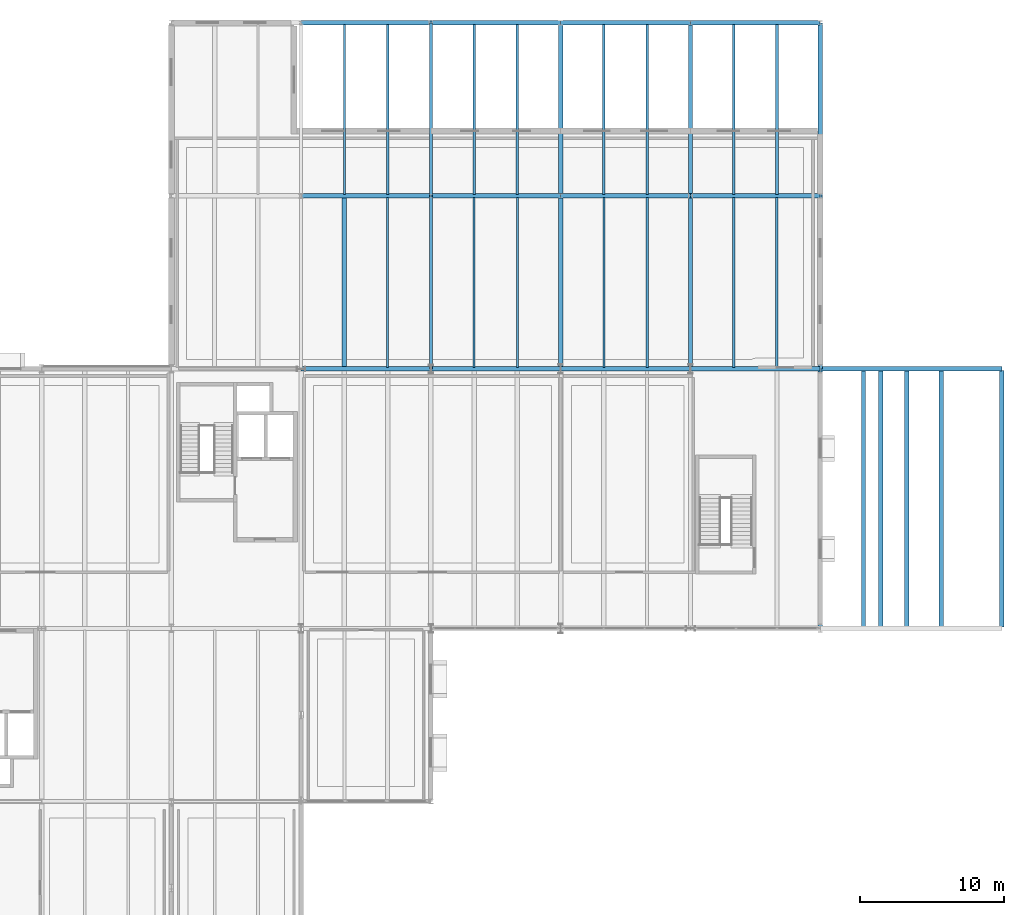
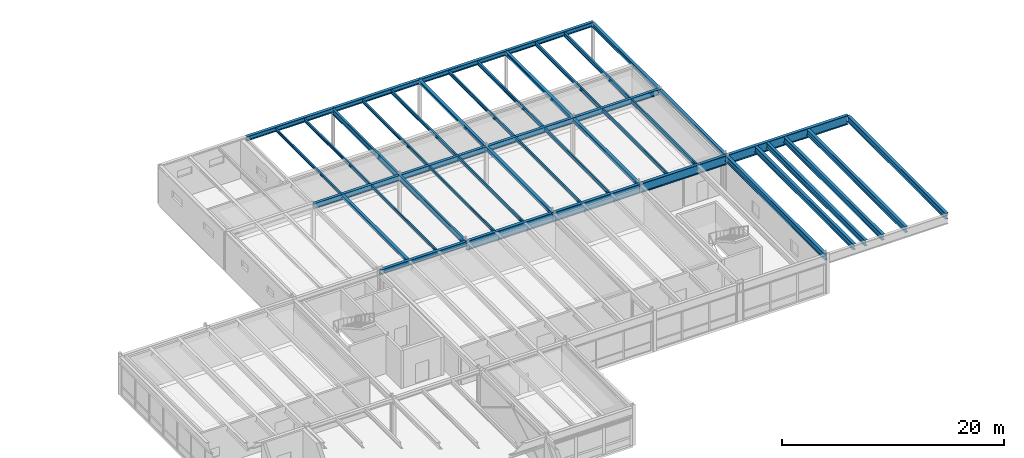
# One storey, part 94 of 127: 43 beams.
"""IFC4 building model written with IfcOpenShell, lengths in metres."""

from ifc_helpers import new_model, si_unit, direction, frame, origin, origin_2d, place, context, subcontext, project, spatial, i_section, extrude, material, material_profile, profile_set, type_object, element, save


model = new_model("IFC4")

# Units and contexts
model_context = context("Model", 3, precision=1e-05, world=origin(), true_north=direction((0.0, 1.0)))
body_context = subcontext(model_context, "Body", "Model", "MODEL_VIEW")
ifc_project = project(units=[si_unit("LENGTHUNIT", "METRE"), si_unit("AREAUNIT", "SQUARE_METRE"), si_unit("VOLUMEUNIT", "CUBIC_METRE"), si_unit("PLANEANGLEUNIT", "RADIAN"), si_unit("MASSUNIT", "GRAM", prefix="KILO")], contexts=[model_context])

# Site, building, storey
site_placement = place(None, origin())
site = spatial("IfcSite", under=ifc_project, at=site_placement, CompositionType="ELEMENT")
building_placement = place(site_placement, origin())
building = spatial("IfcBuilding", under=site, at=building_placement, Name="Montelvaro Courts of Justice", CompositionType="ELEMENT")
storey_placement = place(building_placement, frame((0.0, 0.0, 5.39990234375)))
storey = spatial("IfcBuildingStorey", under=building, at=storey_placement, Name="L01", CompositionType="ELEMENT", Elevation=5.39990234375)

# Beams
ifc_material = material(Name="Steel S355", Category="steel")
ifc_material_profile_1 = material_profile(ifc_material, i_section(OverallWidth=0.300048828125, OverallDepth=0.31005859375, WebThickness=0.009033203125, FlangeThickness=0.015380859375, at=origin_2d()), Name="HEA 320")
ifc_profile_set_1 = profile_set([ifc_material_profile_1], Name="Steel S355")
beam_type_1 = type_object("IfcBeamType", Name="Beam_HEA320", PredefinedType="BEAM", material=ifc_profile_set_1)
beam_1_placement = place(storey_placement, frame((129.0, 96.110107421875, 4.045166015625), z_axis=(0.0, 1.0, 0.0), x_axis=(-1.0, 0.0, 0.0)))
element("IfcBeam", 1, at=beam_1_placement, inside=storey, type_object=beam_type_1, Name="Beam B-15 L01", PredefinedType="BEAM", context=body_context, shape_type="SweptSolid", body=[
    extrude(i_section(OverallWidth=0.300048828125, OverallDepth=0.31005859375, WebThickness=0.009033203125, FlangeThickness=0.015380859375, at=origin_2d()), origin(), (0.0, 0.0, 1.0), 11.77978515625),
])
ifc_material_profile_2 = material_profile(ifc_material, i_section(OverallWidth=0.300048828125, OverallDepth=0.35009765625, WebThickness=0.010009765625, FlangeThickness=0.017578125, at=origin_2d()), Name="HEA 360")
ifc_profile_set_2 = profile_set([ifc_material_profile_2], Name="Steel S355")
beam_type_2 = type_object("IfcBeamType", Name="Beam_HEA360", PredefinedType="USERDEFINED", material=ifc_profile_set_2)
for number, where, z_axis, x_axis, name in (
    (2, (144.0, 96.0, 4.025146484375), (0.0, 1.0, 0.0), (-1.0, 0.0, 0.0), "Beam B-16 L01"),
    (3, (144.0, 108.0, 4.025146484375), (0.0, 1.0, 0.0), (-1.0, 0.0, 0.0), "Beam B-16 L01"),
):
    element("IfcBeam", number, at=place(storey_placement, frame(where, z_axis=z_axis, x_axis=x_axis)), inside=storey, type_object=beam_type_2, Name=name, ObjectType="GIRDER", PredefinedType="USERDEFINED", context=body_context, shape_type="SweptSolid", body=[
        extrude(i_section(OverallWidth=0.300048828125, OverallDepth=0.35009765625, WebThickness=0.010009765625, FlangeThickness=0.017578125, at=origin_2d()), origin(), (0.0, 0.0, 1.0), 12.0),
    ])
ifc_material_profile_3 = material_profile(ifc_material, i_section(OverallWidth=0.300048828125, OverallDepth=0.389892578125, WebThickness=0.010986328125, FlangeThickness=0.01904296875, at=origin_2d()), Name="HEA 400")
ifc_profile_set_3 = profile_set([ifc_material_profile_3], Name="Steel S355")
beam_type_3 = type_object("IfcBeamType", Name="Beam_HEA400", PredefinedType="USERDEFINED", material=ifc_profile_set_3)
for number, where, z_axis, x_axis, name in (
    (4, (153.0, 96.0, 4.005126953125), (0.0, 1.0, 0.0), (-1.0, 0.0, 0.0), "Beam B-17 L01"),
    (5, (153.0, 108.0, 4.005126953125), (0.0, 1.0, 0.0), (-1.0, 0.0, 0.0), "Beam B-17 L01"),
):
    element("IfcBeam", number, at=place(storey_placement, frame(where, z_axis=z_axis, x_axis=x_axis)), inside=storey, type_object=beam_type_3, Name=name, ObjectType="GIRDER", PredefinedType="USERDEFINED", context=body_context, shape_type="SweptSolid", body=[
        extrude(i_section(OverallWidth=0.300048828125, OverallDepth=0.389892578125, WebThickness=0.010986328125, FlangeThickness=0.01904296875, at=origin_2d()), origin(), (0.0, 0.0, 1.0), 12.0),
    ])
ifc_material_profile_4 = material_profile(ifc_material, i_section(OverallWidth=0.300048828125, OverallDepth=0.43994140625, WebThickness=0.011474609375, FlangeThickness=0.02099609375, at=origin_2d()), Name="HEA 450")
ifc_profile_set_4 = profile_set([ifc_material_profile_4], Name="Steel S355")
beam_type_4 = type_object("IfcBeamType", Name="Beam_HEA450", PredefinedType="USERDEFINED", material=ifc_profile_set_4)
for number, where, z_axis, x_axis, name in (
    (6, (162.0, 96.0, 3.97998046875), (0.0, 1.0, 0.0), (-1.0, 0.0, 0.0), "Beam B-18 L01"),
    (7, (162.0, 108.0, 3.97998046875), (0.0, 1.0, 0.0), (-1.0, 0.0, 0.0), "Beam B-18 L01"),
):
    element("IfcBeam", number, at=place(storey_placement, frame(where, z_axis=z_axis, x_axis=x_axis)), inside=storey, type_object=beam_type_4, Name=name, ObjectType="GIRDER", PredefinedType="USERDEFINED", context=body_context, shape_type="SweptSolid", body=[
        extrude(i_section(OverallWidth=0.300048828125, OverallDepth=0.43994140625, WebThickness=0.011474609375, FlangeThickness=0.02099609375, at=origin_2d()), origin(), (0.0, 0.0, 1.0), 12.0),
    ])
ifc_material_profile_5 = material_profile(ifc_material, i_section(OverallWidth=0.300048828125, OverallDepth=0.5400390625, WebThickness=0.012451171875, FlangeThickness=0.02392578125, at=origin_2d()), Name="HEA 550")
ifc_profile_set_5 = profile_set([ifc_material_profile_5], Name="Steel S355")
beam_type_5 = type_object("IfcBeamType", Name="Beam_HEA550", PredefinedType="USERDEFINED", material=ifc_profile_set_5)
beam_2_placement = place(storey_placement, frame((126.0, 96.0, 3.93017578125), z_axis=(1.0, 0.0, 0.0), x_axis=(0.0, 1.0, 0.0)))
element("IfcBeam", 8, at=beam_2_placement, inside=storey, type_object=beam_type_5, Name="Beam B-20 L01", ObjectType="GIRDER", PredefinedType="USERDEFINED", context=body_context, shape_type="SweptSolid", body=[
    extrude(i_section(OverallWidth=0.300048828125, OverallDepth=0.5400390625, WebThickness=0.012451171875, FlangeThickness=0.02392578125, at=origin_2d()), origin(), (0.0, 0.0, 1.0), 9.0),
])
ifc_material_profile_6 = material_profile(ifc_material, i_section(OverallWidth=0.300048828125, OverallDepth=0.590087890625, WebThickness=0.012939453125, FlangeThickness=0.02490234375, at=origin_2d()), Name="HEA 600")
ifc_profile_set_6 = profile_set([ifc_material_profile_6], Name="Steel S355")
beam_type_6 = type_object("IfcBeamType", Name="Beam_HEA600", PredefinedType="USERDEFINED", material=ifc_profile_set_6)
for number, where, z_axis, x_axis, name in (
    (9, (126.0, 108.0, 3.905029296875), (1.0, 0.0, 0.0), (0.0, 1.0, 0.0), "Beam B-21 L01"),
    (10, (135.0, 108.0, 3.905029296875), (1.0, 0.0, 0.0), (0.0, 1.0, 0.0), "Beam B-21 L01"),
    (11, (144.0, 108.0, 3.905029296875), (1.0, 0.0, 0.0), (0.0, 1.0, 0.0), "Beam B-21 L01"),
    (12, (153.0, 108.0, 3.905029296875), (1.0, 0.0, 0.0), (0.0, 1.0, 0.0), "Beam B-21 L01"),
):
    element("IfcBeam", number, at=place(storey_placement, frame(where, z_axis=z_axis, x_axis=x_axis)), inside=storey, type_object=beam_type_6, Name=name, ObjectType="GIRDER", PredefinedType="USERDEFINED", context=body_context, shape_type="SweptSolid", body=[
        extrude(i_section(OverallWidth=0.300048828125, OverallDepth=0.590087890625, WebThickness=0.012939453125, FlangeThickness=0.02490234375, at=origin_2d()), origin(), (0.0, 0.0, 1.0), 9.0),
    ])
ifc_material_profile_7 = material_profile(ifc_material, i_section(OverallWidth=0.300048828125, OverallDepth=0.639892578125, WebThickness=0.013427734375, FlangeThickness=0.02587890625, at=origin_2d()), Name="HEA 650")
ifc_profile_set_7 = profile_set([ifc_material_profile_7], Name="Steel S355")
beam_type_7 = type_object("IfcBeamType", Name="Beam_HEA650", PredefinedType="USERDEFINED", material=ifc_profile_set_7)
beam_3_placement = place(storey_placement, frame((168.0, 78.110107421875, 3.880126953125), z_axis=(0.0, 1.0, 0.0), x_axis=(-1.0, 0.0, 0.0)))
element("IfcBeam", 13, at=beam_3_placement, inside=storey, type_object=beam_type_7, Name="Beam B-22 L01", ObjectType="GIRDER", PredefinedType="USERDEFINED", context=body_context, shape_type="SweptSolid", body=[
    extrude(i_section(OverallWidth=0.300048828125, OverallDepth=0.639892578125, WebThickness=0.013427734375, FlangeThickness=0.02587890625, at=origin_2d()), origin(), (0.0, 0.0, 1.0), 17.77978515625),
])
ifc_material_profile_8 = material_profile(ifc_material, i_section(OverallWidth=0.300048828125, OverallDepth=0.5, WebThickness=0.014404296875, FlangeThickness=0.028076171875, at=origin_2d()), Name="HEB 500")
ifc_profile_set_8 = profile_set([ifc_material_profile_8], Name="Steel S355")
beam_type_8 = type_object("IfcBeamType", Name="Beam_HEB500", PredefinedType="USERDEFINED", material=ifc_profile_set_8)
for number, where, z_axis, x_axis, name in (
    (14, (126.0, 120.0, 4.050048828125), (1.0, 0.0, 0.0), (0.0, 1.0, 0.0), "Beam B-25 L01"),
    (15, (135.0, 120.0, 4.050048828125), (1.0, 0.0, 0.0), (0.0, 1.0, 0.0), "Beam B-25 L01"),
    (16, (144.0, 120.0, 4.050048828125), (1.0, 0.0, 0.0), (0.0, 1.0, 0.0), "Beam B-25 L01"),
    (17, (153.0, 120.0, 4.050048828125), (1.0, 0.0, 0.0), (0.0, 1.0, 0.0), "Beam B-25 L01"),
):
    element("IfcBeam", number, at=place(storey_placement, frame(where, z_axis=z_axis, x_axis=x_axis)), inside=storey, type_object=beam_type_8, Name=name, ObjectType="GIRDER", PredefinedType="USERDEFINED", context=body_context, shape_type="SweptSolid", body=[
        extrude(i_section(OverallWidth=0.300048828125, OverallDepth=0.5, WebThickness=0.014404296875, FlangeThickness=0.028076171875, at=origin_2d()), origin(), (0.0, 0.0, 1.0), 9.0),
    ])
ifc_material_profile_9 = material_profile(ifc_material, i_section(OverallWidth=0.300048828125, OverallDepth=0.64990234375, WebThickness=0.01611328125, FlangeThickness=0.031005859375, at=origin_2d()), Name="HEB 650")
ifc_profile_set_9 = profile_set([ifc_material_profile_9], Name="Steel S355")
beam_type_9 = type_object("IfcBeamType", Name="Beam_HEB650", PredefinedType="USERDEFINED", material=ifc_profile_set_9)
for number, where, z_axis, x_axis, name in (
    (18, (166.199951171875, 78.110107421875, 3.875), (0.0, 1.0, 0.0), (-1.0, 0.0, 0.0), "Beam B-27 L01"),
    (19, (170.39990234375, 78.110107421875, 3.875), (0.0, 1.0, 0.0), (-1.0, 0.0, 0.0), "Beam B-27 L01"),
    (20, (174.60009765625, 78.110107421875, 3.875), (0.0, 1.0, 0.0), (-1.0, 0.0, 0.0), "Beam B-27 L01"),
):
    element("IfcBeam", number, at=place(storey_placement, frame(where, z_axis=z_axis, x_axis=x_axis)), inside=storey, type_object=beam_type_9, Name=name, ObjectType="GIRDER", PredefinedType="USERDEFINED", context=body_context, shape_type="SweptSolid", body=[
        extrude(i_section(OverallWidth=0.300048828125, OverallDepth=0.64990234375, WebThickness=0.01611328125, FlangeThickness=0.031005859375, at=origin_2d()), origin(), (0.0, 0.0, 1.0), 17.77978515625),
    ])
beam_4_placement = place(storey_placement, frame((162.0, 78.0, 3.875), z_axis=(0.0, 1.0, 0.0), x_axis=(-1.0, 0.0, 0.0)))
element("IfcBeam", 21, at=beam_4_placement, inside=storey, type_object=beam_type_9, Name="Beam B-27 L01", ObjectType="GIRDER", PredefinedType="USERDEFINED", context=body_context, shape_type="SweptSolid", body=[
    extrude(i_section(OverallWidth=0.300048828125, OverallDepth=0.64990234375, WebThickness=0.01611328125, FlangeThickness=0.031005859375, at=origin_2d()), origin(), (0.0, 0.0, 1.0), 18.0),
])
beam_5_placement = place(storey_placement, frame((165.0, 78.110107421875, 3.875), z_axis=(0.0, 1.0, 0.0), x_axis=(-1.0, 0.0, 0.0)))
element("IfcBeam", 22, at=beam_5_placement, inside=storey, type_object=beam_type_9, Name="Beam B-27 L01", ObjectType="GIRDER", PredefinedType="USERDEFINED", context=body_context, shape_type="SweptSolid", body=[
    extrude(i_section(OverallWidth=0.300048828125, OverallDepth=0.64990234375, WebThickness=0.01611328125, FlangeThickness=0.031005859375, at=origin_2d()), origin(), (0.0, 0.0, 1.0), 17.77978515625),
])
ifc_material_profile_10 = material_profile(ifc_material, i_section(OverallWidth=0.302001953125, OverallDepth=1.008056640625, WebThickness=0.02099609375, FlangeThickness=0.0400390625, at=origin_2d()), Name="HEM 1000")
ifc_profile_set_10 = profile_set([ifc_material_profile_10], Name="Steel S355")
beam_type_10 = type_object("IfcBeamType", Name="Beam_HEM1000", PredefinedType="USERDEFINED", material=ifc_profile_set_10)
for number, where, z_axis, x_axis, name in (
    (23, (135.0, 96.0, 3.696044921875), (1.0, 0.0, 0.0), (0.0, 1.0, 0.0), "Pratt Cantilever Truss Chord CTR-V2-N-L02-BS1"),
    (24, (144.0, 96.0, 3.696044921875), (1.0, 0.0, 0.0), (0.0, 1.0, 0.0), "Pratt Cantilever Truss Chord CTR-V2-N-L02-BS2"),
    (25, (153.0, 96.0, 3.696044921875), (1.0, 0.0, 0.0), (0.0, 1.0, 0.0), "Pratt Cantilever Truss Chord CTR-V2-N-L02-BS3"),
):
    element("IfcBeam", number, at=place(storey_placement, frame(where, z_axis=z_axis, x_axis=x_axis)), inside=storey, type_object=beam_type_10, Name=name, ObjectType="GIRDER", PredefinedType="USERDEFINED", context=body_context, shape_type="SweptSolid", body=[
        extrude(i_section(OverallWidth=0.302001953125, OverallDepth=1.008056640625, WebThickness=0.02099609375, FlangeThickness=0.0400390625, at=origin_2d()), origin(), (0.0, 0.0, 1.0), 9.0),
    ])
beam_6_placement = place(storey_placement, frame((162.0, 96.0, 3.696044921875), z_axis=(1.0, 0.0, 0.0), x_axis=(0.0, 1.0, 0.0)))
element("IfcBeam", 26, at=beam_6_placement, inside=storey, type_object=beam_type_10, Name="Pratt Cantilever Truss Chord CTR-V2-N-L02-OVH", ObjectType="GIRDER", PredefinedType="USERDEFINED", context=body_context, shape_type="SweptSolid", body=[
    extrude(i_section(OverallWidth=0.302001953125, OverallDepth=1.008056640625, WebThickness=0.02099609375, FlangeThickness=0.0400390625, at=origin_2d()), origin(), (0.0, 0.0, 1.0), 12.60009765625),
])
ifc_material_profile_11 = material_profile(ifc_material, i_section(OverallWidth=0.14990234375, OverallDepth=0.300048828125, WebThickness=0.007080078125, FlangeThickness=0.0107421875, at=origin_2d()), Name="IPE 300")
ifc_profile_set_11 = profile_set([ifc_material_profile_11], Name="Steel S355")
beam_type_11 = type_object("IfcBeamType", Name="Beam_IPE300", PredefinedType="BEAM", material=ifc_profile_set_11)
for number, where, z_axis, x_axis, name in (
    (27, (132.0, 96.110107421875, 4.050048828125), (0.0, 1.0, 0.0), (-1.0, 0.0, 0.0), "Beam B-05 L01"),
    (28, (129.0, 108.110107421875, 4.050048828125), (0.0, 1.0, 0.0), (-1.0, 0.0, 0.0), "Beam B-05 L01"),
    (29, (138.0, 96.110107421875, 4.050048828125), (0.0, 1.0, 0.0), (-1.0, 0.0, 0.0), "Beam B-05 L01"),
):
    element("IfcBeam", number, at=place(storey_placement, frame(where, z_axis=z_axis, x_axis=x_axis)), inside=storey, type_object=beam_type_11, Name=name, PredefinedType="BEAM", context=body_context, shape_type="SweptSolid", body=[
        extrude(i_section(OverallWidth=0.14990234375, OverallDepth=0.300048828125, WebThickness=0.007080078125, FlangeThickness=0.0107421875, at=origin_2d()), origin(), (0.0, 0.0, 1.0), 11.77978515625),
    ])
ifc_material_profile_12 = material_profile(ifc_material, i_section(OverallWidth=0.159912109375, OverallDepth=0.330078125, WebThickness=0.007568359375, FlangeThickness=0.011474609375, at=origin_2d()), Name="IPE 330")
ifc_profile_set_12 = profile_set([ifc_material_profile_12], Name="Steel S355")
beam_type_12 = type_object("IfcBeamType", Name="Beam_IPE330", PredefinedType="BEAM", material=ifc_profile_set_12)
for number, where, z_axis, x_axis, name in (
    (30, (132.0, 108.110107421875, 4.03515625), (0.0, 1.0, 0.0), (-1.0, 0.0, 0.0), "Beam B-06 L01"),
    (31, (141.0, 96.110107421875, 4.03515625), (0.0, 1.0, 0.0), (-1.0, 0.0, 0.0), "Beam B-06 L01"),
    (32, (138.0, 108.110107421875, 4.03515625), (0.0, 1.0, 0.0), (-1.0, 0.0, 0.0), "Beam B-06 L01"),
    (33, (147.0, 96.110107421875, 4.03515625), (0.0, 1.0, 0.0), (-1.0, 0.0, 0.0), "Beam B-06 L01"),
):
    element("IfcBeam", number, at=place(storey_placement, frame(where, z_axis=z_axis, x_axis=x_axis)), inside=storey, type_object=beam_type_12, Name=name, PredefinedType="BEAM", context=body_context, shape_type="SweptSolid", body=[
        extrude(i_section(OverallWidth=0.159912109375, OverallDepth=0.330078125, WebThickness=0.007568359375, FlangeThickness=0.011474609375, at=origin_2d()), origin(), (0.0, 0.0, 1.0), 11.77978515625),
    ])
ifc_material_profile_13 = material_profile(ifc_material, i_section(OverallWidth=0.169921875, OverallDepth=0.360107421875, WebThickness=0.008056640625, FlangeThickness=0.0126953125, at=origin_2d()), Name="IPE 360")
ifc_profile_set_13 = profile_set([ifc_material_profile_13], Name="Steel S355")
beam_type_13 = type_object("IfcBeamType", Name="Beam_IPE360", PredefinedType="BEAM", material=ifc_profile_set_13)
for number, where, z_axis, x_axis, name in (
    (34, (141.0, 108.110107421875, 4.02001953125), (0.0, 1.0, 0.0), (-1.0, 0.0, 0.0), "Beam B-07 L01"),
    (35, (150.0, 96.110107421875, 4.02001953125), (0.0, 1.0, 0.0), (-1.0, 0.0, 0.0), "Beam B-07 L01"),
    (36, (147.0, 108.110107421875, 4.02001953125), (0.0, 1.0, 0.0), (-1.0, 0.0, 0.0), "Beam B-07 L01"),
    (37, (156.0, 96.110107421875, 4.02001953125), (0.0, 1.0, 0.0), (-1.0, 0.0, 0.0), "Beam B-07 L01"),
):
    element("IfcBeam", number, at=place(storey_placement, frame(where, z_axis=z_axis, x_axis=x_axis)), inside=storey, type_object=beam_type_13, Name=name, PredefinedType="BEAM", context=body_context, shape_type="SweptSolid", body=[
        extrude(i_section(OverallWidth=0.169921875, OverallDepth=0.360107421875, WebThickness=0.008056640625, FlangeThickness=0.0126953125, at=origin_2d()), origin(), (0.0, 0.0, 1.0), 11.77978515625),
    ])
ifc_material_profile_14 = material_profile(ifc_material, i_section(OverallWidth=0.179931640625, OverallDepth=0.39990234375, WebThickness=0.008544921875, FlangeThickness=0.013427734375, at=origin_2d()), Name="IPE 400")
ifc_profile_set_14 = profile_set([ifc_material_profile_14], Name="Steel S355")
beam_type_14 = type_object("IfcBeamType", Name="Beam_IPE400", PredefinedType="BEAM", material=ifc_profile_set_14)
for number, where, z_axis, x_axis, name in (
    (38, (150.0, 108.110107421875, 4.0), (0.0, 1.0, 0.0), (-1.0, 0.0, 0.0), "Beam B-08 L01"),
    (39, (159.0, 96.110107421875, 4.0), (0.0, 1.0, 0.0), (-1.0, 0.0, 0.0), "Beam B-08 L01"),
    (40, (156.0, 108.110107421875, 4.0), (0.0, 1.0, 0.0), (-1.0, 0.0, 0.0), "Beam B-08 L01"),
):
    element("IfcBeam", number, at=place(storey_placement, frame(where, z_axis=z_axis, x_axis=x_axis)), inside=storey, type_object=beam_type_14, Name=name, PredefinedType="BEAM", context=body_context, shape_type="SweptSolid", body=[
        extrude(i_section(OverallWidth=0.179931640625, OverallDepth=0.39990234375, WebThickness=0.008544921875, FlangeThickness=0.013427734375, at=origin_2d()), origin(), (0.0, 0.0, 1.0), 11.77978515625),
    ])
ifc_material_profile_15 = material_profile(ifc_material, i_section(OverallWidth=0.18994140625, OverallDepth=0.449951171875, WebThickness=0.009521484375, FlangeThickness=0.0146484375, at=origin_2d()), Name="IPE 450")
ifc_profile_set_15 = profile_set([ifc_material_profile_15], Name="Steel S355")
beam_type_15 = type_object("IfcBeamType", Name="Beam_IPE450", PredefinedType="BEAM", material=ifc_profile_set_15)
beam_7_placement = place(storey_placement, frame((159.0, 108.110107421875, 3.97509765625), z_axis=(0.0, 1.0, 0.0), x_axis=(-1.0, 0.0, 0.0)))
element("IfcBeam", 41, at=beam_7_placement, inside=storey, type_object=beam_type_15, Name="Beam B-09 L01", PredefinedType="BEAM", context=body_context, shape_type="SweptSolid", body=[
    extrude(i_section(OverallWidth=0.18994140625, OverallDepth=0.449951171875, WebThickness=0.009521484375, FlangeThickness=0.0146484375, at=origin_2d()), origin(), (0.0, 0.0, 1.0), 11.77978515625),
])
ifc_material_profile_16 = material_profile(ifc_material, i_section(OverallWidth=0.219970703125, OverallDepth=0.60009765625, WebThickness=0.011962890625, FlangeThickness=0.01904296875, at=origin_2d()), Name="IPE 600")
ifc_profile_set_16 = profile_set([ifc_material_profile_16], Name="Steel S355")
beam_type_16 = type_object("IfcBeamType", Name="Beam_IPE600", PredefinedType="USERDEFINED", material=ifc_profile_set_16)
for number, where, z_axis, x_axis, name in (
    (42, (135.0, 96.0, 3.900146484375), (0.0, 1.0, 0.0), (-1.0, 0.0, 0.0), "Beam B-12 L01"),
    (43, (135.0, 108.0, 3.900146484375), (0.0, 1.0, 0.0), (-1.0, 0.0, 0.0), "Beam B-12 L01"),
):
    element("IfcBeam", number, at=place(storey_placement, frame(where, z_axis=z_axis, x_axis=x_axis)), inside=storey, type_object=beam_type_16, Name=name, ObjectType="GIRDER", PredefinedType="USERDEFINED", context=body_context, shape_type="SweptSolid", body=[
        extrude(i_section(OverallWidth=0.219970703125, OverallDepth=0.60009765625, WebThickness=0.011962890625, FlangeThickness=0.01904296875, at=origin_2d()), origin(), (0.0, 0.0, 1.0), 12.0),
    ])

save(model, "model.ifc")
